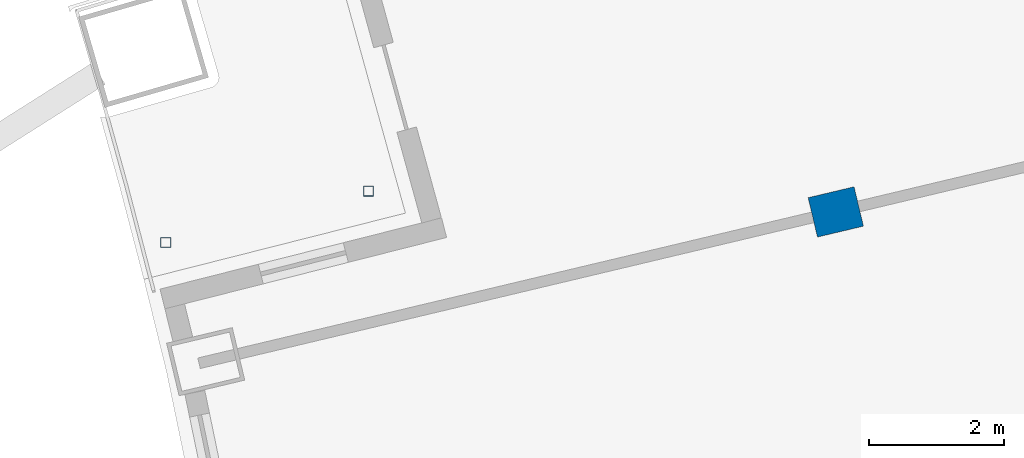
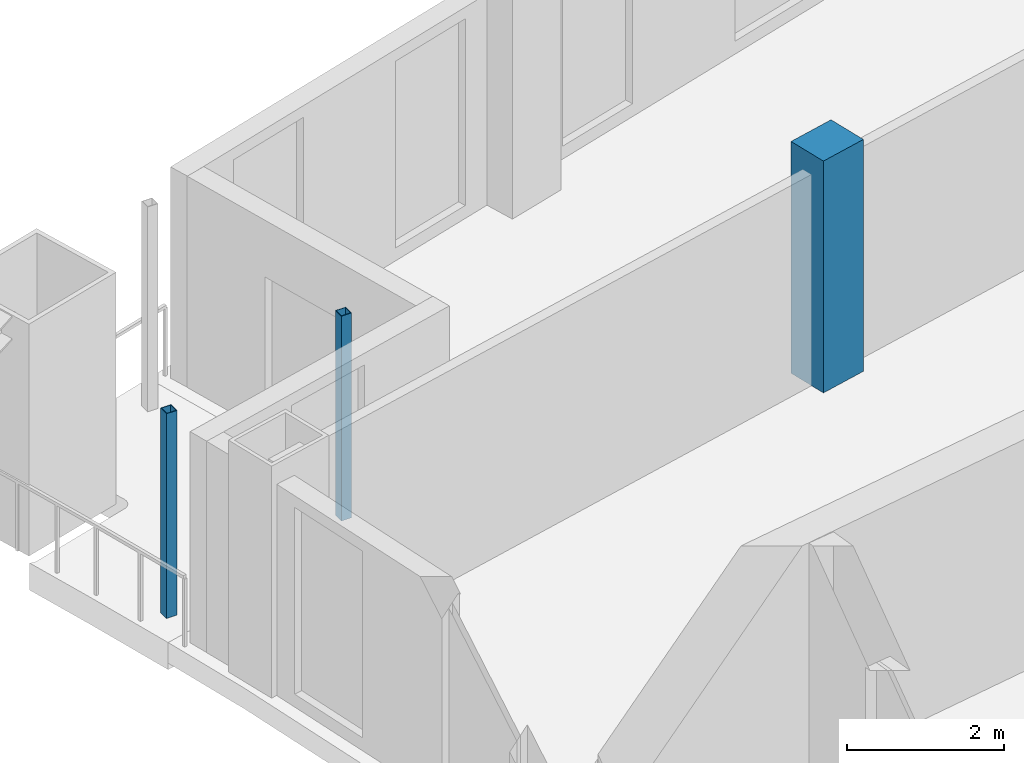
# One storey, part 3 of 17: 3 columns.
"""IFC4 building model written with IfcOpenShell, lengths in metres."""

from ifc_helpers import new_model, si_unit, direction, frame, origin, origin_2d, place, context, subcontext, project, spatial, rectangle, hollow_rectangle, extrude, material, material_profile, profile_set, type_object, element, save


model = new_model("IFC4")

# Units and contexts
model_context = context("Model", 3, precision=1e-05, world=origin(), true_north=direction((0.0, 1.0)))
body_context = subcontext(model_context, "Body", "Model", "MODEL_VIEW")
ifc_project = project(units=[si_unit("LENGTHUNIT", "METRE"), si_unit("AREAUNIT", "SQUARE_METRE"), si_unit("VOLUMEUNIT", "CUBIC_METRE"), si_unit("PLANEANGLEUNIT", "RADIAN"), si_unit("MASSUNIT", "GRAM", prefix="KILO")], contexts=[model_context])

# Site, building, storey
site_placement = place(None, origin())
site = spatial("IfcSite", under=ifc_project, at=site_placement, CompositionType="ELEMENT")
building_placement = place(site_placement, origin())
building = spatial("IfcBuilding", under=site, at=building_placement, Name="Alderwake Tower", CompositionType="ELEMENT")
storey_placement = place(building_placement, frame((0.0, 0.0, 260.0)))
storey = spatial("IfcBuildingStorey", under=building, at=storey_placement, Name="L64", CompositionType="ELEMENT", Elevation=260.0)

# Columns
ifc_material_1 = material(Name="Concrete C70/85", Category="concrete")
ifc_material_profile_1 = material_profile(ifc_material_1, rectangle(XDim=0.60009765625, YDim=0.699951171875, at=origin_2d()), Name="RC 700X600")
ifc_profile_set_1 = profile_set([ifc_material_profile_1], Name="Concrete C70/85")
column_type_1 = type_object("IfcColumnType", Name="Interior column Z5", PredefinedType="COLUMN", material=ifc_profile_set_1)
column_placement = place(storey_placement, frame((23.322021484375, 85.555908203125, 0.0), z_axis=(0.0, 0.0, 1.0), x_axis=(-0.231221547198, 0.972901123502, 0.0)))
element("IfcColumn", 1, at=column_placement, inside=storey, type_object=column_type_1, Name="Column R11-C1", PredefinedType="COLUMN", context=body_context, shape_type="SweptSolid", body=[
    extrude(rectangle(XDim=0.60009765625, YDim=0.699951171875, at=origin_2d()), origin(), (0.0, 0.0, 1.0), 3.60009765625),
])
ifc_material_2 = material(Name="Steel ASTM A500 Grade C", Category="steel")
ifc_material_profile_2 = material_profile(ifc_material_2, hollow_rectangle(XDim=0.15234375, YDim=0.15234375, WallThickness=0.0087890625, at=origin_2d()), Name="HSS6X6X3/8")
ifc_profile_set_2 = profile_set([ifc_material_profile_2], Name="Steel ASTM A500 Grade C")
column_type_2 = type_object("IfcColumnType", Name="Light post HSS6X6X3/8", PredefinedType="COLUMN", material=ifc_profile_set_2)
for number, where, z_axis, x_axis, name in (
    (2, (13.3896484375, 85.103515625, 0.0), (0.0, 0.0, 1.0), (1.0, 0.0, 0.0), "Terrace post RN1"),
    (3, (16.39501953125, 85.864013671875, 0.0), (0.0, 0.0, 1.0), (1.0, 0.0, 0.0), "Terrace post RN3"),
):
    element("IfcColumn", number, at=place(storey_placement, frame(where, z_axis=z_axis, x_axis=x_axis)), inside=storey, type_object=column_type_2, Name=name, PredefinedType="COLUMN", context=body_context, shape_type="SweptSolid", body=[
        extrude(hollow_rectangle(XDim=0.15234375, YDim=0.15234375, WallThickness=0.0087890625, at=origin_2d()), origin(), (0.0, 0.0, 1.0), 3.179931640625),
    ])

save(model, "model.ifc")
